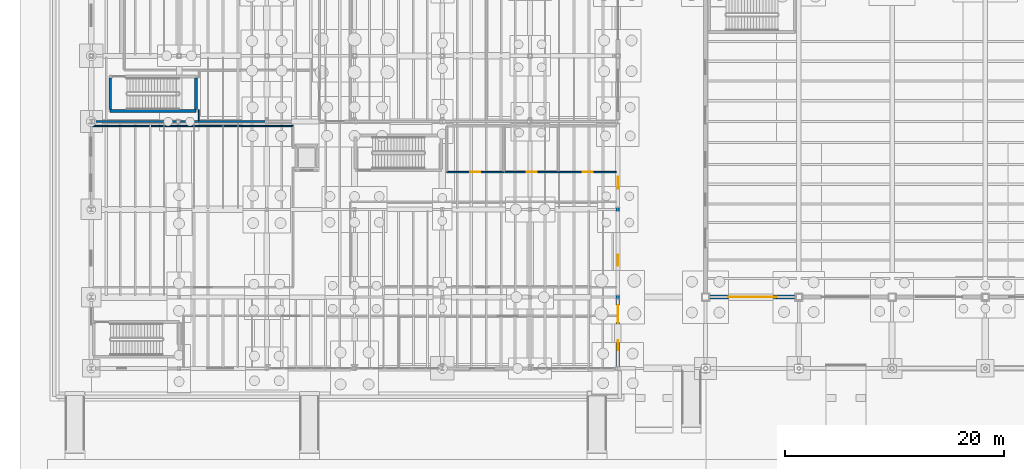
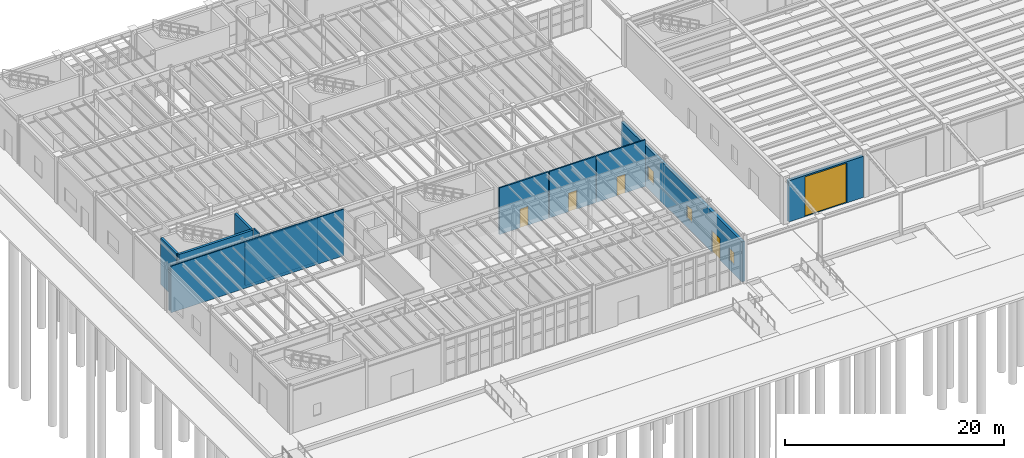
# One storey, part 59 of 86: 12 walls, 5 doors, 3 windows, 8 openings.
"""IFC4 building model written with IfcOpenShell, lengths in metres."""

from ifc_helpers import new_model, si_unit, direction, frame, frame_2d, origin, place, context, subcontext, project, spatial, rectangle, extrude, material, layer, layer_set, type_object, element, fill, save


model = new_model("IFC4")

# Units and contexts
model_context = context("Model", 3, precision=1e-05, world=origin(), true_north=direction((0.0, 1.0)))
body_context = subcontext(model_context, "Body", "Model", "MODEL_VIEW")
ifc_project = project(units=[si_unit("LENGTHUNIT", "METRE"), si_unit("AREAUNIT", "SQUARE_METRE"), si_unit("VOLUMEUNIT", "CUBIC_METRE"), si_unit("PLANEANGLEUNIT", "RADIAN"), si_unit("MASSUNIT", "GRAM", prefix="KILO"), si_unit("THERMODYNAMICTEMPERATUREUNIT", "KELVIN"), si_unit("POWERUNIT", "WATT")], contexts=[model_context])

# Site, building, storey
site_placement = place(None, origin())
site = spatial("IfcSite", under=ifc_project, at=site_placement, CompositionType="ELEMENT")
building_placement = place(site_placement, origin())
building = spatial("IfcBuilding", under=site, at=building_placement, Name="Zhenchuan Central Fire Station", CompositionType="ELEMENT")
storey_placement = place(building_placement, frame((0.0, 0.0, 0.449951171875)))
storey = spatial("IfcBuildingStorey", under=building, at=storey_placement, Name="L01", CompositionType="ELEMENT", Elevation=0.449951171875)

# Wall, openings, door, windows
ifc_material_1 = material(Name="Sintered clay brick masonry MU15", Category="masonry")
ifc_layer_1 = layer(ifc_material_1, 0.300048828125, Name="Sintered clay brick masonry MU15", Category="masonry")
ifc_layer_set_1 = layer_set([ifc_layer_1], Name="Sintered clay brick masonry MU15")
wall_type_1 = type_object("IfcWallType", Name="EW-BRK300", PredefinedType="SOLIDWALL", material=ifc_layer_set_1)
wall_1_placement = place(storey_placement, frame((48.0, 0.175048828125, 0.0), z_axis=(0.0, 0.0, 1.0), x_axis=(0.0, 1.0, 0.0)))
wall_1 = element("IfcWall", 1, at=wall_1_placement, inside=storey, type_object=wall_type_1, Name="EW-L01-V5E", PredefinedType="SOLIDWALL", context=body_context, shape_type="SweptSolid", body=[
    extrude(rectangle(XDim=22.14990234375, YDim=0.300048828125, at=frame_2d((11.074951171875, 0.0))), origin(), (0.0, 0.0, 1.0), 4.494140625),
])
opening_1_placement = place(wall_1_placement, frame((4.0, 0.0, 0.0)))
opening_1 = element("IfcOpeningElement", 2, at=opening_1_placement, cuts=wall_1, Name="Opening EX-005", PredefinedType="OPENING", context=body_context, shape_type="SweptSolid", body=[
    extrude(rectangle(XDim=1.60009765625, YDim=2.39990234375, at=frame_2d((0.800048828125, 1.199951171875))), frame((0.0, 0.159912109375, 0.0), z_axis=(0.0, -1.0, 0.0), x_axis=(1.0, 0.0, 0.0)), (0.0, 0.0, 1.0), 0.320068359375),
])
opening_2_placement = place(wall_1_placement, frame((1.5, 0.0, 1.0)))
opening_2 = element("IfcOpeningElement", 3, at=opening_2_placement, cuts=wall_1, Name="Opening W-11", PredefinedType="OPENING", context=body_context, shape_type="SweptSolid", body=[
    extrude(rectangle(XDim=0.89990234375, YDim=1.39990234375, at=frame_2d((0.449951171875, 0.699951171875))), frame((0.0, 0.159912109375, 0.0), z_axis=(0.0, -1.0, 0.0), x_axis=(1.0, 0.0, 0.0)), (0.0, 0.0, 1.0), 0.320068359375),
])
opening_3_placement = place(wall_1_placement, frame((9.199951171875, 0.0, 1.0)))
opening_3 = element("IfcOpeningElement", 4, at=opening_3_placement, cuts=wall_1, Name="Opening W-12", PredefinedType="OPENING", context=body_context, shape_type="SweptSolid", body=[
    extrude(rectangle(XDim=1.0, YDim=1.5, at=frame_2d((0.5, 0.75))), frame((0.0, 0.159912109375, 0.0), z_axis=(0.0, -1.0, 0.0), x_axis=(1.0, 0.0, 0.0)), (0.0, 0.0, 1.0), 0.320068359375),
])
opening_4_placement = place(wall_1_placement, frame((16.199951171875, 0.0, 1.0)))
opening_4 = element("IfcOpeningElement", 5, at=opening_4_placement, cuts=wall_1, Name="Opening W-13", PredefinedType="OPENING", context=body_context, shape_type="SweptSolid", body=[
    extrude(rectangle(XDim=1.10009765625, YDim=1.5, at=frame_2d((0.550048828125, 0.75))), frame((0.0, 0.159912109375, 0.0), z_axis=(0.0, -1.0, 0.0), x_axis=(1.0, 0.0, 0.0)), (0.0, 0.0, 1.0), 0.320068359375),
])
ifc_material_2 = material(Name="Thermally broken aluminium and safety glass", Category="aluminium")
door_type_1 = type_object("IfcDoorType", Name="ED-160x240", OperationType="NOTDEFINED", PredefinedType="DOOR", material=ifc_material_2)
door_1_placement = place(opening_1_placement, frame((1.60009765625, 0.0, 0.0), z_axis=(0.0, 0.0, 1.0), x_axis=(-1.0, 0.0, 0.0)))
door_1 = element("IfcDoor", 6, at=door_1_placement, inside=storey, type_object=door_type_1, Name="Gallery East Forecourt Exit", OperationType="SINGLE_SWING_RIGHT", OverallHeight=2.39990234375, OverallWidth=1.60009765625, PredefinedType="DOOR", context=body_context, shape_type="SweptSolid", body=[
    extrude(rectangle(XDim=1.60009765625, YDim=2.39990234375, at=frame_2d((0.800048828125, 1.199951171875))), frame((0.0, 0.02490234375, 0.0), z_axis=(0.0, -1.0, 0.0), x_axis=(1.0, 0.0, 0.0)), (0.0, 0.0, 1.0), 0.050048828125),
])
fill(opening_1, door_1)
ifc_material_3 = material(Name="Laminated low-E double glazing in aluminium frame", Category="aluminium")
window_type_1 = type_object("IfcWindowType", Name="WN-11", PartitioningType="SINGLE_PANEL", PredefinedType="WINDOW", material=ifc_material_3)
window_1_placement = place(opening_2_placement, origin())
window_1 = element("IfcWindow", 7, at=window_1_placement, inside=storey, type_object=window_type_1, Name="Exterior Window 0035", OverallHeight=1.39990234375, OverallWidth=0.89990234375, PartitioningType="SINGLE_PANEL", PredefinedType="WINDOW", context=body_context, shape_type="SweptSolid", body=[
    extrude(rectangle(XDim=0.89990234375, YDim=1.39990234375, at=frame_2d((0.449951171875, 0.699951171875))), frame((0.0, 0.030029296875, 0.0), z_axis=(0.0, -1.0, 0.0), x_axis=(1.0, 0.0, 0.0)), (0.0, 0.0, 1.0), 0.06005859375),
])
fill(opening_2, window_1)
window_type_2 = type_object("IfcWindowType", Name="WN-12", PartitioningType="SINGLE_PANEL", PredefinedType="WINDOW", material=ifc_material_3)
window_2_placement = place(opening_3_placement, origin())
window_2 = element("IfcWindow", 8, at=window_2_placement, inside=storey, type_object=window_type_2, Name="Exterior Window 0036", OverallHeight=1.5, OverallWidth=1.0, PartitioningType="SINGLE_PANEL", PredefinedType="WINDOW", context=body_context, shape_type="SweptSolid", body=[
    extrude(rectangle(XDim=1.0, YDim=1.5, at=frame_2d((0.5, 0.75))), frame((0.0, 0.030029296875, 0.0), z_axis=(0.0, -1.0, 0.0), x_axis=(1.0, 0.0, 0.0)), (0.0, 0.0, 1.0), 0.06005859375),
])
fill(opening_3, window_2)
window_type_3 = type_object("IfcWindowType", Name="WN-13", PartitioningType="SINGLE_PANEL", PredefinedType="WINDOW", material=ifc_material_3)
window_3_placement = place(opening_4_placement, origin())
window_3 = element("IfcWindow", 9, at=window_3_placement, inside=storey, type_object=window_type_3, Name="Exterior Window 0037", OverallHeight=1.5, OverallWidth=1.10009765625, PartitioningType="SINGLE_PANEL", PredefinedType="WINDOW", context=body_context, shape_type="SweptSolid", body=[
    extrude(rectangle(XDim=1.10009765625, YDim=1.5, at=frame_2d((0.550048828125, 0.75))), frame((0.0, 0.030029296875, 0.0), z_axis=(0.0, -1.0, 0.0), x_axis=(1.0, 0.0, 0.0)), (0.0, 0.0, 1.0), 0.06005859375),
])
fill(opening_4, window_3)

# Wall, opening, door
ifc_layer_2 = layer(ifc_material_1, 0.35009765625, Name="Sintered clay brick masonry MU15", Category="masonry")
ifc_layer_set_2 = layer_set([ifc_layer_2], Name="Sintered clay brick masonry MU15")
wall_type_2 = type_object("IfcWallType", Name="EW-BRK350", PredefinedType="SOLIDWALL", material=ifc_layer_set_2)
wall_2_placement = place(storey_placement, frame((56.324951171875, 6.5, 0.0), z_axis=(0.0, 0.0, 1.0), x_axis=(1.0, 0.0, 0.0)))
wall_2 = element("IfcWall", 10, at=wall_2_placement, inside=storey, type_object=wall_type_2, Name="Appliance Bay 01 South Sintered Brick Portal Wall", PredefinedType="SOLIDWALL", context=body_context, shape_type="SweptSolid", body=[
    extrude(rectangle(XDim=7.900146484375, YDim=0.35009765625, at=frame_2d((3.9501953125, 0.0))), origin(), (0.0, 0.0, 1.0), 4.593994140625),
])
opening_5_placement = place(wall_2_placement, frame((1.75, 0.0, 0.0)))
opening_5 = element("IfcOpeningElement", 11, at=opening_5_placement, cuts=wall_2, Name="Opening BG-001", PredefinedType="OPENING", context=body_context, shape_type="SweptSolid", body=[
    extrude(rectangle(XDim=4.39990234375, YDim=4.444091796875, at=frame_2d((2.199951171875, 2.22216796875))), frame((0.0, 0.18505859375, 0.0), z_axis=(0.0, -1.0, 0.0), x_axis=(1.0, 0.0, 0.0)), (0.0, 0.0, 1.0), 0.3701171875),
])
ifc_material_4 = material(Name="Anodised aluminium and laminated glazing", Category="aluminium")
door_type_2 = type_object("IfcDoorType", Name="DG-BAY-440x450", OperationType="NOTDEFINED", PredefinedType="GATE", material=ifc_material_4)
door_2_placement = place(opening_5_placement, frame((4.39990234375, 0.0, 0.0), z_axis=(0.0, 0.0, 1.0), x_axis=(-1.0, 0.0, 0.0)))
door_2 = element("IfcDoor", 12, at=door_2_placement, inside=storey, type_object=door_type_2, Name="Appliance South Glazed Bi-Fold Gate 01", OperationType="FOLDING_TO_LEFT", OverallHeight=4.444091796875, OverallWidth=4.39990234375, PredefinedType="GATE", context=body_context, shape_type="SweptSolid", body=[
    extrude(rectangle(XDim=4.39990234375, YDim=4.444091796875, at=frame_2d((2.199951171875, 2.22216796875))), frame((0.0, 0.02490234375, 0.0), z_axis=(0.0, -1.0, 0.0), x_axis=(1.0, 0.0, 0.0)), (0.0, 0.0, 1.0), 0.050048828125),
])
fill(opening_5, door_2)

ifc_material_5 = material(Name="Autoclaved aerated concrete blockwork", Category="masonry")
ifc_layer_3 = layer(ifc_material_5, 0.14990234375, Name="Autoclaved aerated concrete blockwork", Category="masonry")
ifc_layer_set_3 = layer_set([ifc_layer_3], Name="Autoclaved aerated concrete blockwork")
wall_type_3 = type_object("IfcWallType", Name="IW-BLK150", PredefinedType="PARTITIONING", material=ifc_layer_set_3)
wall_3_placement = place(storey_placement, frame((32.39990234375, 17.89990234375, 0.0), z_axis=(0.0, 0.0, 1.0), x_axis=(1.0, 0.0, 0.0)))
wall_3 = element("IfcWall", 13, at=wall_3_placement, inside=storey, type_object=wall_type_3, Name="Public Male WC S Partition", PredefinedType="PARTITIONING", context=body_context, shape_type="SweptSolid", body=[
    extrude(rectangle(XDim=5.2001953125, YDim=0.14990234375, at=frame_2d((2.60009765625, 0.0))), origin(), (0.0, 0.0, 1.0), 5.199951171875),
])
opening_6_placement = place(wall_3_placement, frame((2.159912109375, 0.0, 0.0)))
opening_6 = element("IfcOpeningElement", 14, at=opening_6_placement, cuts=wall_3, Name="Opening D-070", PredefinedType="OPENING", context=body_context, shape_type="SweptSolid", body=[
    extrude(rectangle(XDim=0.8798828125, YDim=2.10009765625, at=frame_2d((0.43994140625, 1.050048828125))), frame((0.0, 0.0849609375, 0.0), z_axis=(0.0, -1.0, 0.0), x_axis=(1.0, 0.0, 0.0)), (0.0, 0.0, 1.0), 0.169921875),
])
ifc_material_6 = material(Name="Moisture-resistant washroom door")
door_type_3 = type_object("IfcDoorType", Name="ID-WC-088x210", OperationType="NOTDEFINED", PredefinedType="DOOR", material=ifc_material_6)
door_3_placement = place(opening_6_placement, origin())
door_3 = element("IfcDoor", 15, at=door_3_placement, inside=storey, type_object=door_type_3, Name="Public Male WC Door", OperationType="SINGLE_SWING_RIGHT", OverallHeight=2.10009765625, OverallWidth=0.8798828125, PredefinedType="DOOR", context=body_context, shape_type="SweptSolid", body=[
    extrude(rectangle(XDim=0.8798828125, YDim=2.10009765625, at=frame_2d((0.43994140625, 1.050048828125))), frame((0.0, 0.02490234375, 0.0), z_axis=(0.0, -1.0, 0.0), x_axis=(1.0, 0.0, 0.0)), (0.0, 0.0, 1.0), 0.050048828125),
])
fill(opening_6, door_3)

wall_4_placement = place(storey_placement, frame((37.677978515625, 17.89990234375, 0.0), z_axis=(0.0, 0.0, 1.0), x_axis=(1.0, 0.0, 0.0)))
wall_4 = element("IfcWall", 16, at=wall_4_placement, inside=storey, type_object=wall_type_3, Name="Public Female WC S Partition", PredefinedType="PARTITIONING", context=body_context, shape_type="SweptSolid", body=[
    extrude(rectangle(XDim=4.922119140625, YDim=0.14990234375, at=frame_2d((2.4609375, 0.0))), origin(), (0.0, 0.0, 1.0), 5.199951171875),
])
opening_7_placement = place(wall_4_placement, frame((2.0009765625, 0.0, 0.0)))
opening_7 = element("IfcOpeningElement", 17, at=opening_7_placement, cuts=wall_4, Name="Opening D-071", PredefinedType="OPENING", context=body_context, shape_type="SweptSolid", body=[
    extrude(rectangle(XDim=0.919921875, YDim=2.10009765625, at=frame_2d((0.4599609375, 1.050048828125))), frame((0.0, 0.0849609375, 0.0), z_axis=(0.0, -1.0, 0.0), x_axis=(1.0, 0.0, 0.0)), (0.0, 0.0, 1.0), 0.169921875),
])
ifc_material_7 = material(Name="Moisture-resistant accessible WC door")
door_type_4 = type_object("IfcDoorType", Name="ID-WC-092x210", OperationType="NOTDEFINED", PredefinedType="DOOR", material=ifc_material_7)
door_4_placement = place(opening_7_placement, origin())
door_4 = element("IfcDoor", 18, at=door_4_placement, inside=storey, type_object=door_type_4, Name="Public Female WC Door", OperationType="SINGLE_SWING_LEFT", OverallHeight=2.10009765625, OverallWidth=0.919921875, PredefinedType="DOOR", context=body_context, shape_type="SweptSolid", body=[
    extrude(rectangle(XDim=0.919921875, YDim=2.10009765625, at=frame_2d((0.4599609375, 1.050048828125))), frame((0.0, 0.02490234375, 0.0), z_axis=(0.0, -1.0, 0.0), x_axis=(1.0, 0.0, 0.0)), (0.0, 0.0, 1.0), 0.050048828125),
])
fill(opening_7, door_4)

wall_5_placement = place(storey_placement, frame((42.677978515625, 17.89990234375, 0.0), z_axis=(0.0, 0.0, 1.0), x_axis=(1.0, 0.0, 0.0)))
wall_5 = element("IfcWall", 19, at=wall_5_placement, inside=storey, type_object=wall_type_3, Name="Public Accessible WC S Partition", PredefinedType="PARTITIONING", context=body_context, shape_type="SweptSolid", body=[
    extrude(rectangle(XDim=5.1689453125, YDim=0.14990234375, at=frame_2d((2.58447265625, 0.0))), origin(), (0.0, 0.0, 1.0), 5.199951171875),
])
opening_8_placement = place(wall_5_placement, frame((2.14453125, 0.0, 0.0)))
opening_8 = element("IfcOpeningElement", 20, at=opening_8_placement, cuts=wall_5, Name="Opening D-072", PredefinedType="OPENING", context=body_context, shape_type="SweptSolid", body=[
    extrude(rectangle(XDim=0.8798828125, YDim=2.10009765625, at=frame_2d((0.43994140625, 1.050048828125))), frame((0.0, 0.0849609375, 0.0), z_axis=(0.0, -1.0, 0.0), x_axis=(1.0, 0.0, 0.0)), (0.0, 0.0, 1.0), 0.169921875),
])
door_5_placement = place(opening_8_placement, origin())
door_5 = element("IfcDoor", 21, at=door_5_placement, inside=storey, type_object=door_type_3, Name="Public Accessible WC Door", OperationType="SINGLE_SWING_RIGHT", OverallHeight=2.10009765625, OverallWidth=0.8798828125, PredefinedType="DOOR", context=body_context, shape_type="SweptSolid", body=[
    extrude(rectangle(XDim=0.8798828125, YDim=2.10009765625, at=frame_2d((0.43994140625, 1.050048828125))), frame((0.0, 0.02490234375, 0.0), z_axis=(0.0, -1.0, 0.0), x_axis=(1.0, 0.0, 0.0)), (0.0, 0.0, 1.0), 0.050048828125),
])
fill(opening_8, door_5)

# Walls
ifc_layer_4 = layer(ifc_material_5, 0.199951171875, Name="Autoclaved aerated concrete blockwork", Category="masonry")
ifc_layer_set_4 = layer_set([ifc_layer_4], Name="Autoclaved aerated concrete blockwork")
wall_type_4 = type_object("IfcWallType", Name="IW-FIR200", PredefinedType="PARTITIONING", material=ifc_layer_set_4)
wall_6_placement = place(storey_placement, frame((0.177001953125, 22.5, 0.0), z_axis=(0.0, 0.0, 1.0), x_axis=(1.0, 0.0, 0.0)))
element("IfcWall", 22, at=wall_6_placement, inside=storey, type_object=wall_type_4, Name="L01 Gallery-Workshop Fire Compartment Wall X=0..8", PredefinedType="PARTITIONING", context=body_context, shape_type="SweptSolid", body=[
    extrude(rectangle(XDim=7.6708984375, YDim=0.199951171875, at=frame_2d((3.83544921875, 0.0))), origin(), (0.0, 0.0, 1.0), 4.76416015625),
])
wall_7_placement = place(storey_placement, frame((8.152099609375, 22.5, 0.0), z_axis=(0.0, 0.0, 1.0), x_axis=(1.0, 0.0, 0.0)))
element("IfcWall", 23, at=wall_7_placement, inside=storey, type_object=wall_type_4, Name="L01 Gallery-Workshop Fire Compartment Wall X=8..16", PredefinedType="PARTITIONING", context=body_context, shape_type="SweptSolid", body=[
    extrude(rectangle(XDim=7.69580078125, YDim=0.199951171875, at=frame_2d((3.847900390625, 0.0))), origin(), (0.0, 0.0, 1.0), 4.81396484375),
])
ifc_material_8 = material(Name="Gypsum plasterboard on steel studs", Category="gypsum")
ifc_layer_5 = layer(ifc_material_8, 0.10009765625, Name="Gypsum plasterboard on steel studs", Category="gypsum")
ifc_layer_set_5 = layer_set([ifc_layer_5], Name="Gypsum plasterboard on steel studs")
wall_type_5 = type_object("IfcWallType", Name="IW-GYP100", PredefinedType="PARTITIONING", material=ifc_layer_set_5)
wall_8_placement = place(storey_placement, frame((9.800048828125, 22.60302734375, 0.0), z_axis=(0.0, 0.0, 1.0), x_axis=(0.0, 1.0, 0.0)))
element("IfcWall", 24, at=wall_8_placement, inside=storey, type_object=wall_type_5, Name="Fleet Tool and Lubricant Store W Partition 1", PredefinedType="PARTITIONING", context=body_context, shape_type="SweptSolid", body=[
    extrude(rectangle(XDim=0.993896484375, YDim=0.10009765625, at=frame_2d((0.4970703125, 0.0))), origin(), (0.0, 0.0, 1.0), 5.16015625),
])
ifc_layer_6 = layer(ifc_material_8, 0.1201171875, Name="Gypsum plasterboard on steel studs", Category="gypsum")
ifc_layer_set_6 = layer_set([ifc_layer_6], Name="Gypsum plasterboard on steel studs")
wall_type_6 = type_object("IfcWallType", Name="IW-GYP120", PredefinedType="PARTITIONING", material=ifc_layer_set_6)
wall_9_placement = place(storey_placement, frame((0.153076171875, 22.10009765625, 0.0), z_axis=(0.0, 0.0, 1.0), x_axis=(1.0, 0.0, 0.0)))
element("IfcWall", 25, at=wall_9_placement, inside=storey, type_object=wall_type_6, Name="Raked Lecture Theatre N Partition", PredefinedType="PARTITIONING", context=body_context, shape_type="SweptSolid", body=[
    extrude(rectangle(XDim=18.246826171875, YDim=0.1201171875, at=frame_2d((9.12353515625, 0.0))), origin(), (0.0, 0.0, 1.0), 5.199951171875),
])
ifc_material_9 = material(Name="Concrete C40/50", Category="concrete")
ifc_layer_7 = layer(ifc_material_9, 0.25, Name="Concrete C40/50", Category="concrete")
ifc_layer_set_7 = layer_set([ifc_layer_7], Name="Concrete C40/50")
wall_type_7 = type_object("IfcWallType", Name="IW-SHR250", PredefinedType="SHEAR", material=ifc_layer_set_7)
wall_10_placement = place(storey_placement, frame((1.72509765625, 23.47509765625, 0.0), z_axis=(0.0, 0.0, 1.0), x_axis=(1.0, 0.0, 0.0)))
element("IfcWall", 26, at=wall_10_placement, inside=storey, type_object=wall_type_7, Name="ST-03 L01 South Core Wall", PredefinedType="SHEAR", context=body_context, shape_type="SweptSolid", body=[
    extrude(rectangle(XDim=7.809814453125, YDim=0.25, at=frame_2d((3.90478515625, 0.0))), origin(), (0.0, 0.0, 1.0), 5.16015625),
])
for number, where, z_axis, x_axis, name in (
    (27, (1.72509765625, 23.60009765625, 0.0), (0.0, 0.0, 1.0), (0.0, 1.0, 0.0), "ST-03 L01 West Core Wall"),
    (28, (9.534912109375, 23.60009765625, 0.0), (0.0, 0.0, 1.0), (0.0, 1.0, 0.0), "ST-03 L01 East Core Wall"),
):
    element("IfcWall", number, at=place(storey_placement, frame(where, z_axis=z_axis, x_axis=x_axis)), inside=storey, type_object=wall_type_7, Name=name, PredefinedType="SHEAR", context=body_context, shape_type="SweptSolid", body=[
        extrude(rectangle(XDim=2.89990234375, YDim=0.25, at=frame_2d((1.449951171875, 0.0))), origin(), (0.0, 0.0, 1.0), 5.16015625),
    ])

save(model, "model.ifc")
